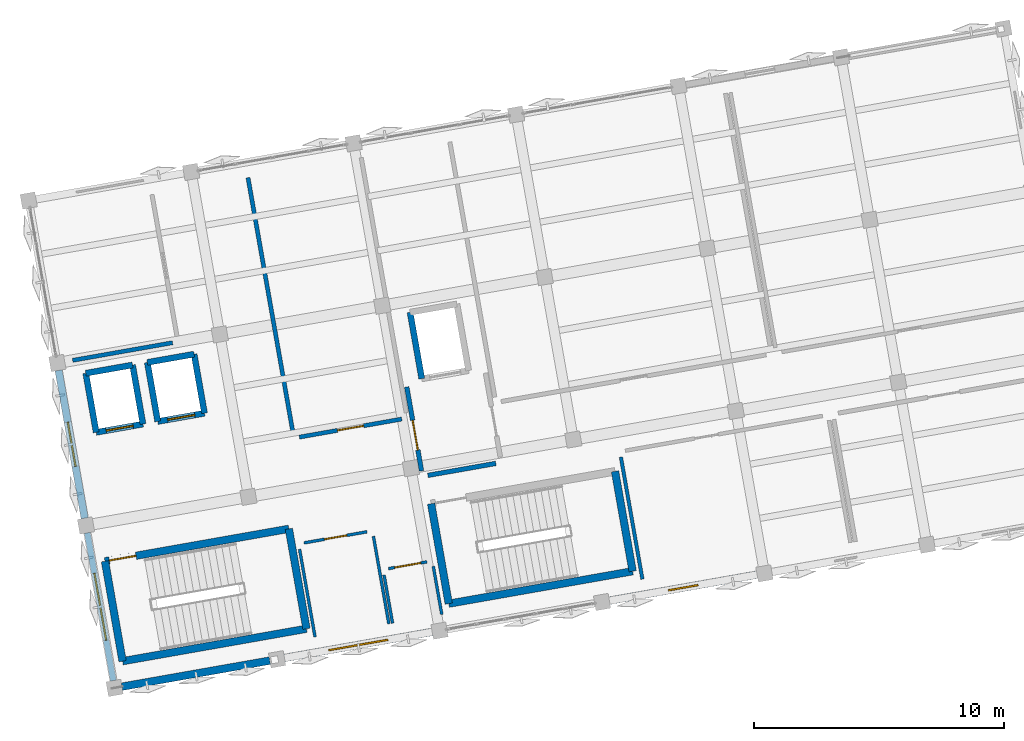
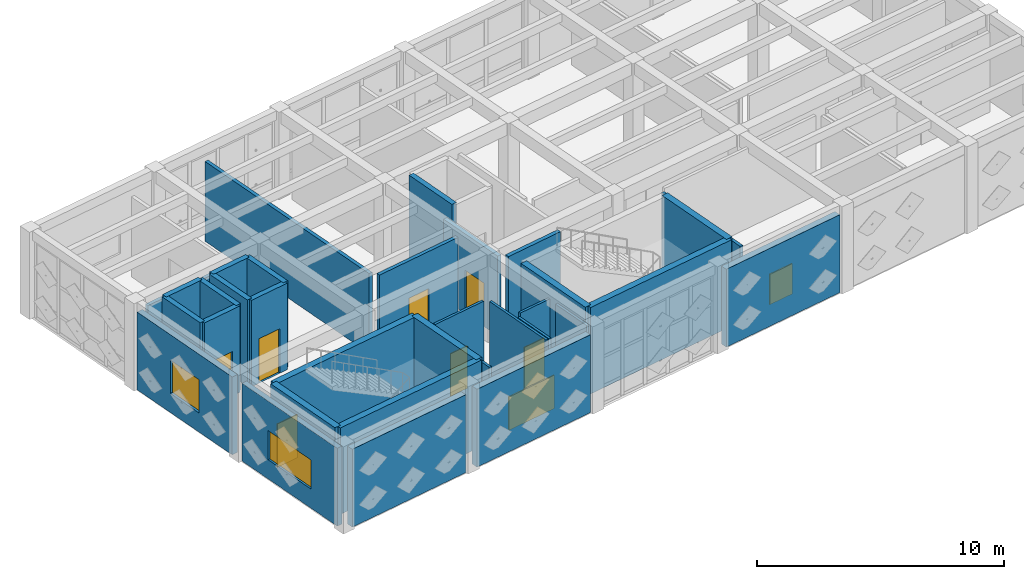
# One storey, part 27 of 36: 33 walls, 7 doors, 4 windows, 11 openings.
"""IFC4 building model written with IfcOpenShell, lengths in metres."""

from ifc_helpers import new_model, si_unit, direction, frame, frame_2d, origin, place, context, subcontext, project, spatial, rectangle, extrude, material, layer, layer_set, type_object, element, fill, save


model = new_model("IFC4")

# Units and contexts
model_context = context("Model", 3, precision=1e-05, world=origin(), true_north=direction((0.0, 1.0)))
body_context = subcontext(model_context, "Body", "Model", "MODEL_VIEW")
ifc_project = project(units=[si_unit("LENGTHUNIT", "METRE"), si_unit("AREAUNIT", "SQUARE_METRE"), si_unit("VOLUMEUNIT", "CUBIC_METRE"), si_unit("PLANEANGLEUNIT", "RADIAN"), si_unit("MASSUNIT", "GRAM", prefix="KILO")], contexts=[model_context])

# Site, building, storey
site_placement = place(None, origin())
site = spatial("IfcSite", under=ifc_project, at=site_placement, CompositionType="ELEMENT")
building_placement = place(site_placement, origin())
building = spatial("IfcBuilding", under=site, at=building_placement, Name="Kharisveld Research Institute", CompositionType="ELEMENT")
storey_placement = place(building_placement, frame((0.0, 0.0, 27.60009765625)))
storey = spatial("IfcBuildingStorey", under=building, at=storey_placement, Name="L06", CompositionType="ELEMENT", Elevation=27.60009765625)

# Walls
ifc_material_1 = material(Name="Concrete C40/50", Category="concrete")
ifc_layer_1 = layer(ifc_material_1, 0.239990234375)
ifc_layer_set_1 = layer_set([ifc_layer_1], Name="WL_CORE_240")
wall_type_1 = type_object("IfcWallType", Name="WL_CORE_240", PredefinedType="SHEAR", material=ifc_layer_set_1)
wall_1_placement = place(storey_placement, frame((17.48828125, 47.3818359375, 0.0), z_axis=(0.0, 0.0, 1.0), x_axis=(-0.173615102578, 0.98481358447, 0.0)))
element("IfcWall", 1, at=wall_1_placement, inside=storey, type_object=wall_type_1, Name="WL:LFT:FFL-01:L06:W", PredefinedType="SHEAR", context=body_context, shape_type="SweptSolid", body=[
    extrude(rectangle(XDim=2.699951171875, YDim=0.239990234375, at=frame_2d((1.35009765625, 0.0))), origin(), (0.0, 0.0, 1.0), 4.27978515625),
])
wall_2_placement = place(storey_placement, frame((4.462890625, 45.2373046875, 0.0), z_axis=(0.0, 0.0, 1.0), x_axis=(-0.173646056486, 0.984808127031, 0.0)))
element("IfcWall", 2, at=wall_2_placement, inside=storey, type_object=wall_type_1, Name="WL:LFT:PL-01:L06:W", PredefinedType="SHEAR", context=body_context, shape_type="SweptSolid", body=[
    extrude(rectangle(XDim=2.39990234375, YDim=0.239990234375, at=frame_2d((1.199951171875, 0.0))), origin(), (0.0, 0.0, 1.0), 4.27978515625),
])
wall_3_placement = place(storey_placement, frame((4.046142578125, 47.600830078125, 0.0), z_axis=(0.0, 0.0, 1.0), x_axis=(0.984793905749, 0.173726691098, 0.0)))
element("IfcWall", 3, at=wall_3_placement, inside=storey, type_object=wall_type_1, Name="WL:LFT:PL-01:L06:N", PredefinedType="SHEAR", context=body_context, shape_type="SweptSolid", body=[
    extrude(rectangle(XDim=1.89990234375, YDim=0.239990234375, at=frame_2d((0.949951171875, 0.0))), origin(), (0.0, 0.0, 1.0), 4.27978515625),
])
wall_4_placement = place(storey_placement, frame((5.917236328125, 47.930908203125, 0.0), z_axis=(0.0, 0.0, 1.0), x_axis=(0.173646056486, -0.984808127031, 0.0)))
element("IfcWall", 4, at=wall_4_placement, inside=storey, type_object=wall_type_1, Name="WL:LFT:PL-01:L06:E", PredefinedType="SHEAR", context=body_context, shape_type="SweptSolid", body=[
    extrude(rectangle(XDim=2.39990234375, YDim=0.239990234375, at=frame_2d((1.199951171875, 0.0))), origin(), (0.0, 0.0, 1.0), 4.27978515625),
])

# Wall, opening, door
wall_5_placement = place(storey_placement, frame((6.333984375, 45.5673828125, 0.0), z_axis=(0.0, 0.0, 1.0), x_axis=(-0.984793905749, -0.173726691098, 0.0)))
wall_5 = element("IfcWall", 5, at=wall_5_placement, inside=storey, type_object=wall_type_1, Name="WL:LFT:PL-01:L06:S", PredefinedType="SHEAR", context=body_context, shape_type="SweptSolid", body=[
    extrude(rectangle(XDim=1.89990234375, YDim=0.239990234375, at=frame_2d((0.949951171875, 0.0))), origin(), (0.0, 0.0, 1.0), 4.27978515625),
])
opening_1_placement = place(wall_5_placement, frame((0.39990234375, 0.0, 0.0)))
opening_1 = element("IfcOpeningElement", 6, at=opening_1_placement, cuts=wall_5, Name="Opening LD-01", PredefinedType="OPENING", context=body_context, shape_type="SweptSolid", body=[
    extrude(rectangle(XDim=1.10009765625, YDim=2.199951171875, at=frame_2d((0.550048828125, 1.10009765625))), frame((0.0, 0.1201171875, 0.0), z_axis=(0.0, -1.0, 0.0), x_axis=(1.0, 0.0, 0.0)), (0.0, 0.0, 1.0), 0.239990234375),
])
ifc_material_2 = material(Name="Flush Painted Hardwood and Anodised Aluminium", Category="wood")
door_type_1 = type_object("IfcDoorType", Name="DR_LFT_110", OperationType="SLIDING_TO_LEFT", PredefinedType="DOOR", material=ifc_material_2)
door_1_placement = place(opening_1_placement, origin())
door_1 = element("IfcDoor", 7, at=door_1_placement, inside=storey, type_object=door_type_1, Name="PL-01 Lift Landing Door L06", OperationType="SLIDING_TO_LEFT", OverallHeight=2.199951171875, OverallWidth=1.10009765625, PredefinedType="DOOR", context=body_context, shape_type="SweptSolid", body=[
    extrude(rectangle(XDim=1.10009765625, YDim=2.199951171875, at=frame_2d((0.550048828125, 1.10009765625))), frame((0.0, 0.02490234375, 0.0), z_axis=(0.0, -1.0, 0.0), x_axis=(1.0, 0.0, 0.0)), (0.0, 0.0, 1.0), 0.050048828125),
])
fill(opening_1, door_1)

# Walls
wall_6_placement = place(storey_placement, frame((6.9248046875, 45.67138671875, 0.0), z_axis=(0.0, 0.0, 1.0), x_axis=(-0.173646056486, 0.984808127031, 0.0)))
element("IfcWall", 8, at=wall_6_placement, inside=storey, type_object=wall_type_1, Name="WL:LFT:PL-02:L06:W", PredefinedType="SHEAR", context=body_context, shape_type="SweptSolid", body=[
    extrude(rectangle(XDim=2.39990234375, YDim=0.239990234375, at=frame_2d((1.199951171875, 0.0))), origin(), (0.0, 0.0, 1.0), 4.27978515625),
])
wall_7_placement = place(storey_placement, frame((6.508056640625, 48.034912109375, 0.0), z_axis=(0.0, 0.0, 1.0), x_axis=(0.984793905749, 0.173726691098, 0.0)))
element("IfcWall", 9, at=wall_7_placement, inside=storey, type_object=wall_type_1, Name="WL:LFT:PL-02:L06:N", PredefinedType="SHEAR", context=body_context, shape_type="SweptSolid", body=[
    extrude(rectangle(XDim=1.89990234375, YDim=0.239990234375, at=frame_2d((0.949951171875, 0.0))), origin(), (0.0, 0.0, 1.0), 4.27978515625),
])
wall_8_placement = place(storey_placement, frame((8.379150390625, 48.364990234375, 0.0), z_axis=(0.0, 0.0, 1.0), x_axis=(0.173646056486, -0.984808127031, 0.0)))
element("IfcWall", 10, at=wall_8_placement, inside=storey, type_object=wall_type_1, Name="WL:LFT:PL-02:L06:E", PredefinedType="SHEAR", context=body_context, shape_type="SweptSolid", body=[
    extrude(rectangle(XDim=2.39990234375, YDim=0.239990234375, at=frame_2d((1.199951171875, 0.0))), origin(), (0.0, 0.0, 1.0), 4.27978515625),
])

# Wall, opening, door
wall_9_placement = place(storey_placement, frame((8.7958984375, 46.00146484375, 0.0), z_axis=(0.0, 0.0, 1.0), x_axis=(-0.984793905749, -0.173726691098, 0.0)))
wall_9 = element("IfcWall", 11, at=wall_9_placement, inside=storey, type_object=wall_type_1, Name="WL:LFT:PL-02:L06:S", PredefinedType="SHEAR", context=body_context, shape_type="SweptSolid", body=[
    extrude(rectangle(XDim=1.89990234375, YDim=0.239990234375, at=frame_2d((0.949951171875, 0.0))), origin(), (0.0, 0.0, 1.0), 4.27978515625),
])
opening_2_placement = place(wall_9_placement, frame((0.39990234375, 0.0, 0.0)))
opening_2 = element("IfcOpeningElement", 12, at=opening_2_placement, cuts=wall_9, Name="Opening LD-01", PredefinedType="OPENING", context=body_context, shape_type="SweptSolid", body=[
    extrude(rectangle(XDim=1.10009765625, YDim=2.199951171875, at=frame_2d((0.550048828125, 1.10009765625))), frame((0.0, 0.1201171875, 0.0), z_axis=(0.0, -1.0, 0.0), x_axis=(1.0, 0.0, 0.0)), (0.0, 0.0, 1.0), 0.239990234375),
])
door_2_placement = place(opening_2_placement, origin())
door_2 = element("IfcDoor", 13, at=door_2_placement, inside=storey, type_object=door_type_1, Name="PL-02 Lift Landing Door L06", OperationType="SLIDING_TO_LEFT", OverallHeight=2.199951171875, OverallWidth=1.10009765625, PredefinedType="DOOR", context=body_context, shape_type="SweptSolid", body=[
    extrude(rectangle(XDim=1.10009765625, YDim=2.199951171875, at=frame_2d((0.550048828125, 1.10009765625))), frame((0.0, 0.02490234375, 0.0), z_axis=(0.0, -1.0, 0.0), x_axis=(1.0, 0.0, 0.0)), (0.0, 0.0, 1.0), 0.050048828125),
])
fill(opening_2, door_2)

# Wall
ifc_material_3 = material(Name="Concrete C40/50", Category="concrete")
ifc_layer_2 = layer(ifc_material_3, 0.300048828125)
ifc_layer_set_2 = layer_set([ifc_layer_2], Name="WL_CORE_300")
wall_type_2 = type_object("IfcWallType", Name="WL_CORE_300", PredefinedType="SHEAR", material=ifc_layer_set_2)
wall_10_placement = place(storey_placement, frame((5.518798828125, 36.08154296875, 0.0), z_axis=(0.0, 0.0, 1.0), x_axis=(-0.173665267602, 0.984804739443, 0.0)))
element("IfcWall", 14, at=wall_10_placement, inside=storey, type_object=wall_type_2, Name="WL:STR:ST1:L06:W", PredefinedType="SHEAR", context=body_context, shape_type="SweptSolid", body=[
    extrude(rectangle(XDim=4.06005859375, YDim=0.300048828125, at=frame_2d((2.030029296875, 0.0))), origin(), (0.0, 0.0, 1.0), 4.27978515625),
])

# Wall, opening, door
wall_11_placement = place(storey_placement, frame((4.813720703125, 40.079833984375, 0.0), z_axis=(0.0, 0.0, 1.0), x_axis=(0.984802636214, 0.173677193974, 0.0)))
wall_11 = element("IfcWall", 15, at=wall_11_placement, inside=storey, type_object=wall_type_2, Name="WL:STR:ST1:L06:N", PredefinedType="SHEAR", context=body_context, shape_type="SweptSolid", body=[
    extrude(rectangle(XDim=7.469970703125, YDim=0.300048828125, at=frame_2d((3.73486328125, 0.0))), origin(), (0.0, 0.0, 1.0), 4.27978515625),
])
opening_3_placement = place(wall_11_placement, frame((0.179931640625, 0.0, 0.0)))
opening_3 = element("IfcOpeningElement", 16, at=opening_3_placement, cuts=wall_11, Name="Opening DS-008", PredefinedType="OPENING", context=body_context, shape_type="SweptSolid", body=[
    extrude(rectangle(XDim=1.080078125, YDim=2.14990234375, at=frame_2d((0.5400390625, 1.074951171875))), frame((0.0, 0.14990234375, 0.0), z_axis=(0.0, -1.0, 0.0), x_axis=(1.0, 0.0, 0.0)), (0.0, 0.0, 1.0), 0.300048828125),
])
ifc_material_4 = material(Name="Flush Painted Hardwood and Anodised Aluminium", Category="wood")
door_type_2 = type_object("IfcDoorType", Name="DR_FD60_108", OperationType="NOTDEFINED", PredefinedType="DOOR", material=ifc_material_4)
door_3_placement = place(opening_3_placement, origin())
door_3 = element("IfcDoor", 17, at=door_3_placement, inside=storey, type_object=door_type_2, Name="DR:STR:ST1:L06", OperationType="SINGLE_SWING_LEFT", OverallHeight=2.14990234375, OverallWidth=1.080078125, PredefinedType="DOOR", context=body_context, shape_type="SweptSolid", body=[
    extrude(rectangle(XDim=1.080078125, YDim=2.14990234375, at=frame_2d((0.5400390625, 1.074951171875))), frame((0.0, 0.02490234375, 0.0), z_axis=(0.0, -1.0, 0.0), x_axis=(1.0, 0.0, 0.0)), (0.0, 0.0, 1.0), 0.050048828125),
])
fill(opening_3, door_3)

# Walls
wall_12_placement = place(storey_placement, frame((12.170166015625, 41.377197265625, 0.0), z_axis=(0.0, 0.0, 1.0), x_axis=(0.173654983803, -0.984806552883, 0.0)))
element("IfcWall", 18, at=wall_12_placement, inside=storey, type_object=wall_type_2, Name="WL:STR:ST1:L06:E", PredefinedType="SHEAR", context=body_context, shape_type="SweptSolid", body=[
    extrude(rectangle(XDim=4.060302734375, YDim=0.300048828125, at=frame_2d((2.0302734375, 0.0))), origin(), (0.0, 0.0, 1.0), 4.27978515625),
])
wall_13_placement = place(storey_placement, frame((12.875244140625, 37.378662109375, 0.0), z_axis=(0.0, 0.0, 1.0), x_axis=(-0.984808225754, -0.173645496596, 0.0)))
element("IfcWall", 19, at=wall_13_placement, inside=storey, type_object=wall_type_2, Name="WL:STR:ST1:L06:S", PredefinedType="SHEAR", context=body_context, shape_type="SweptSolid", body=[
    extrude(rectangle(XDim=7.469970703125, YDim=0.300048828125, at=frame_2d((3.73486328125, 0.0))), origin(), (0.0, 0.0, 1.0), 4.27978515625),
])
for number, where, z_axis, x_axis, name in (
    (20, (18.5673828125, 38.382568359375, 0.0), (0.0, 0.0, 1.0), (-0.173606946886, 0.984815022221, 0.0), "WL:STR:ST2:L06:W"),
    (21, (25.218994140625, 43.677978515625, 0.0), (0.0, 0.0, 1.0), (0.173665267602, -0.984804739443, 0.0), "WL:STR:ST2:L06:E"),
):
    element("IfcWall", number, at=place(storey_placement, frame(where, z_axis=z_axis, x_axis=x_axis)), inside=storey, type_object=wall_type_2, Name=name, PredefinedType="SHEAR", context=body_context, shape_type="SweptSolid", body=[
        extrude(rectangle(XDim=4.06005859375, YDim=0.300048828125, at=frame_2d((2.030029296875, 0.0))), origin(), (0.0, 0.0, 1.0), 4.27978515625),
    ])
wall_14_placement = place(storey_placement, frame((25.924072265625, 39.6796875, 0.0), z_axis=(0.0, 0.0, 1.0), x_axis=(-0.984809211193, -0.173639907711, 0.0)))
element("IfcWall", 22, at=wall_14_placement, inside=storey, type_object=wall_type_2, Name="WL:STR:ST2:L06:S", PredefinedType="SHEAR", context=body_context, shape_type="SweptSolid", body=[
    extrude(rectangle(XDim=7.47021484375, YDim=0.300048828125, at=frame_2d((3.735107421875, 0.0))), origin(), (0.0, 0.0, 1.0), 4.27978515625),
])

# Wall, opening, window
ifc_material_5 = material(Name="Lightweight Acoustic Spandrel", Category="mineral")
ifc_layer_3 = layer(ifc_material_5, 0.2451171875)
ifc_layer_set_3 = layer_set([ifc_layer_3], Name="WL_EXT_245")
wall_type_3 = type_object("IfcWallType", Name="WL_EXT_245", PredefinedType="STANDARD", material=ifc_layer_set_3)
wall_15_placement = place(storey_placement, frame((5.148681640625, 35.300537109375, 0.0), z_axis=(0.0, 0.0, 1.0), x_axis=(-0.173620796507, 0.984812580657, 0.0)))
wall_15 = element("IfcWall", 23, at=wall_15_placement, inside=storey, type_object=wall_type_3, Name="WL:V1:L06:W0", PredefinedType="STANDARD", context=body_context, shape_type="SweptSolid", body=[
    extrude(rectangle(XDim=6.010009765625, YDim=0.2451171875, at=frame_2d((3.0048828125, 0.0))), origin(), (0.0, 0.0, 1.0), 3.85498046875),
])
opening_4_placement = place(wall_15_placement, frame((1.64501953125, 0.0, 0.949951171875)))
opening_4 = element("IfcOpeningElement", 24, at=opening_4_placement, cuts=wall_15, Name="Opening WN-38", PredefinedType="OPENING", context=body_context, shape_type="SweptSolid", body=[
    extrude(rectangle(XDim=2.719970703125, YDim=1.43994140625, at=frame_2d((1.35986328125, 0.719970703125))), frame((0.0, 0.12255859375, 0.0), z_axis=(0.0, -1.0, 0.0), x_axis=(1.0, 0.0, 0.0)), (0.0, 0.0, 1.0), 0.2451171875),
])
ifc_material_6 = material(Name="Low-E Double Glazing", Category="glass")
window_type_1 = type_object("IfcWindowType", Name="WN_38", PartitioningType="DOUBLE_PANEL_VERTICAL", PredefinedType="WINDOW", material=ifc_material_6)
window_1_placement = place(opening_4_placement, origin())
window_1 = element("IfcWindow", 25, at=window_1_placement, inside=storey, type_object=window_type_1, Name="WN:V1:L06:W0", OverallHeight=1.43994140625, OverallWidth=2.719970703125, PartitioningType="SINGLE_PANEL", PredefinedType="WINDOW", context=body_context, shape_type="SweptSolid", body=[
    extrude(rectangle(XDim=2.719970703125, YDim=1.43994140625, at=frame_2d((1.35986328125, 0.719970703125))), frame((0.0, 0.030029296875, 0.0), z_axis=(0.0, -1.0, 0.0), x_axis=(1.0, 0.0, 0.0)), (0.0, 0.0, 1.0), 0.06005859375),
])
fill(opening_4, window_1)

ifc_material_7 = material(Name="Precast Concrete C40/50 Thermal Wall", Category="concrete")
ifc_layer_4 = layer(ifc_material_7, 0.2900390625)
ifc_layer_set_4 = layer_set([ifc_layer_4], Name="WL_EXT_290")
wall_type_4 = type_object("IfcWallType", Name="WL_EXT_290", PredefinedType="STANDARD", material=ifc_layer_set_4)
wall_16_placement = place(storey_placement, frame((4.002685546875, 41.80029296875, 0.0), z_axis=(0.0, 0.0, 1.0), x_axis=(-0.173660194111, 0.984805634113, 0.0)))
wall_16 = element("IfcWall", 26, at=wall_16_placement, inside=storey, type_object=wall_type_4, Name="WL:V1:L06:W1", PredefinedType="STANDARD", context=body_context, shape_type="SweptSolid", body=[
    extrude(rectangle(XDim=6.010009765625, YDim=0.2900390625, at=frame_2d((3.0048828125, 0.0))), origin(), (0.0, 0.0, 1.0), 3.85498046875),
])
opening_5_placement = place(wall_16_placement, frame((2.10498046875, 0.0, 0.949951171875)))
opening_5 = element("IfcOpeningElement", 27, at=opening_5_placement, cuts=wall_16, Name="Opening WN-01", PredefinedType="OPENING", context=body_context, shape_type="SweptSolid", body=[
    extrude(rectangle(XDim=1.800048828125, YDim=1.64990234375, at=frame_2d((0.89990234375, 0.824951171875))), frame((0.0, 0.14501953125, 0.0), z_axis=(0.0, -1.0, 0.0), x_axis=(1.0, 0.0, 0.0)), (0.0, 0.0, 1.0), 0.2900390625),
])
ifc_material_8 = material(Name="Low-E Double Glazing", Category="glass")
window_type_2 = type_object("IfcWindowType", Name="WN_01", PartitioningType="DOUBLE_PANEL_VERTICAL", PredefinedType="WINDOW", material=ifc_material_8)
window_2_placement = place(opening_5_placement, origin())
window_2 = element("IfcWindow", 28, at=window_2_placement, inside=storey, type_object=window_type_2, Name="WN:V1:L06:W1", OverallHeight=1.64990234375, OverallWidth=1.800048828125, PartitioningType="SINGLE_PANEL", PredefinedType="WINDOW", context=body_context, shape_type="SweptSolid", body=[
    extrude(rectangle(XDim=1.800048828125, YDim=1.64990234375, at=frame_2d((0.89990234375, 0.824951171875))), frame((0.0, 0.030029296875, 0.0), z_axis=(0.0, -1.0, 0.0), x_axis=(1.0, 0.0, 0.0)), (0.0, 0.0, 1.0), 0.06005859375),
])
fill(opening_5, window_2)

ifc_material_9 = material(Name="Precast Concrete C40/50 Ochre Panel", Category="concrete")
ifc_layer_5 = layer(ifc_material_9, 0.304931640625)
ifc_layer_set_5 = layer_set([ifc_layer_5], Name="WL_EXT_305")
wall_type_5 = type_object("IfcWallType", Name="WL_EXT_305", PredefinedType="STANDARD", material=ifc_layer_set_5)
wall_17_placement = place(storey_placement, frame((30.908447265625, 39.54296875, 0.0), z_axis=(0.0, 0.0, 1.0), x_axis=(-0.984812580657, -0.173620796507, 0.0)))
wall_17 = element("IfcWall", 29, at=wall_17_placement, inside=storey, type_object=wall_type_5, Name="WL:V1:L06:S4", PredefinedType="STANDARD", context=body_context, shape_type="SweptSolid", body=[
    extrude(rectangle(XDim=6.010009765625, YDim=0.304931640625, at=frame_2d((3.0048828125, 0.0))), origin(), (0.0, 0.0, 1.0), 3.85498046875),
])
opening_6_placement = place(wall_17_placement, frame((2.405029296875, 0.0, 0.949951171875)))
opening_6 = element("IfcOpeningElement", 30, at=opening_6_placement, cuts=wall_17, Name="Opening WN-04", PredefinedType="OPENING", context=body_context, shape_type="SweptSolid", body=[
    extrude(rectangle(XDim=1.199951171875, YDim=1.5, at=frame_2d((0.60009765625, 0.75))), frame((0.0, 0.15234375, 0.0), z_axis=(0.0, -1.0, 0.0), x_axis=(1.0, 0.0, 0.0)), (0.0, 0.0, 1.0), 0.304931640625),
])
ifc_material_10 = material(Name="Low-E Double Glazing", Category="glass")
window_type_3 = type_object("IfcWindowType", Name="WN_04", PartitioningType="SINGLE_PANEL", PredefinedType="WINDOW", material=ifc_material_10)
window_3_placement = place(opening_6_placement, origin())
window_3 = element("IfcWindow", 31, at=window_3_placement, inside=storey, type_object=window_type_3, Name="WN:V1:L06:S4", OverallHeight=1.5, OverallWidth=1.199951171875, PartitioningType="SINGLE_PANEL", PredefinedType="WINDOW", context=body_context, shape_type="SweptSolid", body=[
    extrude(rectangle(XDim=1.199951171875, YDim=1.5, at=frame_2d((0.60009765625, 0.75))), frame((0.0, 0.030029296875, 0.0), z_axis=(0.0, -1.0, 0.0), x_axis=(1.0, 0.0, 0.0)), (0.0, 0.0, 1.0), 0.06005859375),
])
fill(opening_6, window_3)

wall_18_placement = place(storey_placement, frame((17.908935546875, 37.2509765625, 0.0), z_axis=(0.0, 0.0, 1.0), x_axis=(-0.984805634113, -0.173660194111, 0.0)))
wall_18 = element("IfcWall", 32, at=wall_18_placement, inside=storey, type_object=wall_type_5, Name="WL:V1:L06:S2", PredefinedType="STANDARD", context=body_context, shape_type="SweptSolid", body=[
    extrude(rectangle(XDim=6.010009765625, YDim=0.304931640625, at=frame_2d((3.0048828125, 0.0))), origin(), (0.0, 0.0, 1.0), 3.85498046875),
])
opening_7_placement = place(wall_18_placement, frame((1.804931640625, 0.0, 0.949951171875)))
opening_7 = element("IfcOpeningElement", 33, at=opening_7_placement, cuts=wall_18, Name="Opening WN-02", PredefinedType="OPENING", context=body_context, shape_type="SweptSolid", body=[
    extrude(rectangle(XDim=2.39990234375, YDim=1.64990234375, at=frame_2d((1.199951171875, 0.824951171875))), frame((0.0, 0.15234375, 0.0), z_axis=(0.0, -1.0, 0.0), x_axis=(1.0, 0.0, 0.0)), (0.0, 0.0, 1.0), 0.304931640625),
])
ifc_material_11 = material(Name="Low-E Double Glazing", Category="glass")
window_type_4 = type_object("IfcWindowType", Name="WN_02", PartitioningType="TRIPLE_PANEL_VERTICAL", PredefinedType="WINDOW", material=ifc_material_11)
window_4_placement = place(opening_7_placement, origin())
window_4 = element("IfcWindow", 34, at=window_4_placement, inside=storey, type_object=window_type_4, Name="WN:V1:L06:S2", OverallHeight=1.64990234375, OverallWidth=2.39990234375, PartitioningType="SINGLE_PANEL", PredefinedType="WINDOW", context=body_context, shape_type="SweptSolid", body=[
    extrude(rectangle(XDim=2.39990234375, YDim=1.64990234375, at=frame_2d((1.199951171875, 0.824951171875))), frame((0.0, 0.030029296875, 0.0), z_axis=(0.0, -1.0, 0.0), x_axis=(1.0, 0.0, 0.0)), (0.0, 0.0, 1.0), 0.06005859375),
])
fill(opening_7, window_4)

# Walls
wall_19_placement = place(storey_placement, frame((11.4091796875, 36.104736328125, 0.0), z_axis=(0.0, 0.0, 1.0), x_axis=(-0.984812580657, -0.173620796507, 0.0)))
element("IfcWall", 35, at=wall_19_placement, inside=storey, type_object=wall_type_5, Name="WL:V1:L06:S1", PredefinedType="STANDARD", context=body_context, shape_type="SweptSolid", body=[
    extrude(rectangle(XDim=6.010009765625, YDim=0.304931640625, at=frame_2d((3.0048828125, 0.0))), origin(), (0.0, 0.0, 1.0), 3.85498046875),
])
ifc_material_12 = material(Name="Acoustic Drywall Partition", Category="mineral")
ifc_layer_6 = layer(ifc_material_12, 0.1650390625)
ifc_layer_set_6 = layer_set([ifc_layer_6], Name="WL_LAB_165")
wall_type_6 = type_object("IfcWallType", Name="WL_LAB_165", PredefinedType="PARTITIONING", material=ifc_layer_set_6)
wall_20_placement = place(storey_placement, frame((3.518310546875, 48.1171875, 0.0), z_axis=(0.0, 0.0, 1.0), x_axis=(0.984816834462, 0.173596666326, 0.0)))
element("IfcWall", 36, at=wall_20_placement, inside=storey, type_object=wall_type_6, Name="WL:RM:V1:L06:NW:S", PredefinedType="PARTITIONING", context=body_context, shape_type="SweptSolid", body=[
    extrude(rectangle(XDim=4.060302734375, YDim=0.1650390625, at=frame_2d((2.0302734375, 0.0))), origin(), (0.0, 0.0, 1.0), 3.704833984375),
])

# Wall, opening, door
wall_21_placement = place(storey_placement, frame((12.589599609375, 45.045654296875, 0.0), z_axis=(0.0, 0.0, 1.0), x_axis=(0.984805411783, 0.173661454915, 0.0)))
wall_21 = element("IfcWall", 37, at=wall_21_placement, inside=storey, type_object=wall_type_6, Name="WL:RM:V1:L06:N1:S", PredefinedType="PARTITIONING", context=body_context, shape_type="SweptSolid", body=[
    extrude(rectangle(XDim=4.159912109375, YDim=0.1650390625, at=frame_2d((2.080078125, 0.0))), origin(), (0.0, 0.0, 1.0), 3.90478515625),
])
opening_8_placement = place(wall_21_placement, frame((1.550048828125, 0.0, 0.0)))
opening_8 = element("IfcOpeningElement", 38, at=opening_8_placement, cuts=wall_21, Name="Opening DI-126", PredefinedType="OPENING", context=body_context, shape_type="SweptSolid", body=[
    extrude(rectangle(XDim=1.06005859375, YDim=2.06005859375, at=frame_2d((0.530029296875, 1.030029296875))), frame((0.0, 0.08251953125, 0.0), z_axis=(0.0, -1.0, 0.0), x_axis=(1.0, 0.0, 0.0)), (0.0, 0.0, 1.0), 0.1650390625),
])
ifc_material_13 = material(Name="Flush Painted Hardwood and Anodised Aluminium", Category="wood")
door_type_3 = type_object("IfcDoorType", Name="DR_VAR_06", OperationType="NOTDEFINED", PredefinedType="DOOR", material=ifc_material_13)
door_4_placement = place(opening_8_placement, origin())
door_4 = element("IfcDoor", 39, at=door_4_placement, inside=storey, type_object=door_type_3, Name="DR:RM:V1:L06:N1:S", OperationType="SINGLE_SWING_RIGHT", OverallHeight=2.06005859375, OverallWidth=1.06005859375, PredefinedType="DOOR", context=body_context, shape_type="SweptSolid", body=[
    extrude(rectangle(XDim=1.06005859375, YDim=2.06005859375, at=frame_2d((0.530029296875, 1.030029296875))), frame((0.0, 0.02490234375, 0.0), z_axis=(0.0, -1.0, 0.0), x_axis=(1.0, 0.0, 0.0)), (0.0, 0.0, 1.0), 0.050048828125),
])
fill(opening_8, door_4)

# Walls
wall_22_placement = place(storey_placement, frame((10.53564453125, 55.4267578125, 0.0), z_axis=(0.0, 0.0, 1.0), x_axis=(0.173654930775, -0.984806562233, 0.0)))
element("IfcWall", 40, at=wall_22_placement, inside=storey, type_object=wall_type_6, Name="WL:RM:V1:L06:N1:W", PredefinedType="PARTITIONING", context=body_context, shape_type="SweptSolid", body=[
    extrude(rectangle(XDim=10.360107421875, YDim=0.1650390625, at=frame_2d((5.18017578125, 0.0))), origin(), (0.0, 0.0, 1.0), 3.949951171875),
])
ifc_material_14 = material(Name="Masonry Blockwork", Category="masonry")
ifc_layer_7 = layer(ifc_material_14, 0.18505859375)
ifc_layer_set_7 = layer_set([ifc_layer_7], Name="WL_LOB_185")
wall_type_7 = type_object("IfcWallType", Name="WL_LOB_185", PredefinedType="SOLIDWALL", material=ifc_layer_set_7)
wall_23_placement = place(storey_placement, frame((17.7333984375, 43.515625, 0.0), z_axis=(0.0, 0.0, 1.0), x_axis=(0.984808483292, 0.173644035992, 0.0)))
element("IfcWall", 41, at=wall_23_placement, inside=storey, type_object=wall_type_7, Name="WL:RM:V1:L06:FFL:S", PredefinedType="SOLIDWALL", context=body_context, shape_type="SweptSolid", body=[
    extrude(rectangle(XDim=2.760009765625, YDim=0.18505859375, at=frame_2d((1.3798828125, 0.0))), origin(), (0.0, 0.0, 1.0), 3.949951171875),
])

# Wall, opening, door
wall_24_placement = place(storey_placement, frame((16.886474609375, 47.05224609375, 0.0), z_axis=(0.0, 0.0, 1.0), x_axis=(0.173621956536, -0.984812376145, 0.0)))
wall_24 = element("IfcWall", 42, at=wall_24_placement, inside=storey, type_object=wall_type_7, Name="WL:RM:V1:L06:FFL:W", PredefinedType="SOLIDWALL", context=body_context, shape_type="SweptSolid", body=[
    extrude(rectangle(XDim=3.409912109375, YDim=0.18505859375, at=frame_2d((1.705078125, 0.0))), origin(), (0.0, 0.0, 1.0), 3.949951171875),
])
opening_9_placement = place(wall_24_placement, frame((1.360107421875, 0.0, 0.0)))
opening_9 = element("IfcOpeningElement", 43, at=opening_9_placement, cuts=wall_24, Name="Opening DI-122", PredefinedType="OPENING", context=body_context, shape_type="SweptSolid", body=[
    extrude(rectangle(XDim=1.199951171875, YDim=2.14990234375, at=frame_2d((0.60009765625, 1.074951171875))), frame((0.0, 0.092529296875, 0.0), z_axis=(0.0, -1.0, 0.0), x_axis=(1.0, 0.0, 0.0)), (0.0, 0.0, 1.0), 0.18505859375),
])
ifc_material_15 = material(Name="Flush Painted Hardwood and Anodised Aluminium", Category="wood")
door_type_4 = type_object("IfcDoorType", Name="DR_FD120_120", OperationType="NOTDEFINED", PredefinedType="DOOR", material=ifc_material_15)
door_5_placement = place(opening_9_placement, origin())
door_5 = element("IfcDoor", 44, at=door_5_placement, inside=storey, type_object=door_type_4, Name="DR:RM:V1:L06:FFL:W", OperationType="SINGLE_SWING_RIGHT", OverallHeight=2.14990234375, OverallWidth=1.199951171875, PredefinedType="DOOR", context=body_context, shape_type="SweptSolid", body=[
    extrude(rectangle(XDim=1.199951171875, YDim=2.14990234375, at=frame_2d((0.60009765625, 1.074951171875))), frame((0.0, 0.02490234375, 0.0), z_axis=(0.0, -1.0, 0.0), x_axis=(1.0, 0.0, 0.0)), (0.0, 0.0, 1.0), 0.050048828125),
])
fill(opening_9, door_5)

# Walls
ifc_material_16 = material(Name="Insulated Stud Partition", Category="mineral")
ifc_layer_8 = layer(ifc_material_16, 0.139892578125)
ifc_layer_set_8 = layer_set([ifc_layer_8], Name="WL_OFF_140")
wall_type_8 = type_object("IfcWallType", Name="WL_OFF_140", PredefinedType="PARTITIONING", material=ifc_layer_set_8)
wall_25_placement = place(storey_placement, frame((25.45361328125, 44.247314453125, 0.0), z_axis=(0.0, 0.0, 1.0), x_axis=(0.173658971256, -0.98480584975, 0.0)))
element("IfcWall", 45, at=wall_25_placement, inside=storey, type_object=wall_type_8, Name="WL:RM:V1:L06:S1:W", PredefinedType="PARTITIONING", context=body_context, shape_type="SweptSolid", body=[
    extrude(rectangle(XDim=4.9599609375, YDim=0.139892578125, at=frame_2d((2.47998046875, 0.0))), origin(), (0.0, 0.0, 1.0), 3.949951171875),
])
ifc_material_17 = material(Name="Moisture-Resistant Partition", Category="mineral")
ifc_layer_9 = layer(ifc_material_17, 0.114990234375)
ifc_layer_set_9 = layer_set([ifc_layer_9], Name="WL_WC_115")
wall_type_9 = type_object("IfcWallType", Name="WL_WC_115", PredefinedType="PARTITIONING", material=ifc_layer_set_9)
wall_26_placement = place(storey_placement, frame((16.17138671875, 37.57421875, 0.0), z_axis=(0.0, 0.0, 1.0), x_axis=(-0.173644490041, 0.984808403233, 0.0)))
element("IfcWall", 46, at=wall_26_placement, inside=storey, type_object=wall_type_9, Name="WL:RM:V1:L06:WCM:E", PredefinedType="PARTITIONING", context=body_context, shape_type="SweptSolid", body=[
    extrude(rectangle(XDim=3.56005859375, YDim=0.114990234375, at=frame_2d((1.780029296875, 0.0))), origin(), (0.0, 0.0, 1.0), 3.949951171875),
])

# Wall, opening, door
wall_27_placement = place(storey_placement, frame((15.29833984375, 41.258544921875, 0.0), z_axis=(0.0, 0.0, 1.0), x_axis=(-0.984803714572, -0.17367107924, 0.0)))
wall_27 = element("IfcWall", 47, at=wall_27_placement, inside=storey, type_object=wall_type_9, Name="WL:RM:V1:L06:WCM:N", PredefinedType="PARTITIONING", context=body_context, shape_type="SweptSolid", body=[
    extrude(rectangle(XDim=2.559814453125, YDim=0.114990234375, at=frame_2d((1.27978515625, 0.0))), origin(), (0.0, 0.0, 1.0), 3.949951171875),
])
opening_10_placement = place(wall_27_placement, frame((0.830078125, 0.0, 0.0)))
opening_10 = element("IfcOpeningElement", 48, at=opening_10_placement, cuts=wall_27, Name="Opening DI-123", PredefinedType="OPENING", context=body_context, shape_type="SweptSolid", body=[
    extrude(rectangle(XDim=0.89990234375, YDim=2.10009765625, at=frame_2d((0.449951171875, 1.050048828125))), frame((0.0, 0.0576171875, 0.0), z_axis=(0.0, -1.0, 0.0), x_axis=(1.0, 0.0, 0.0)), (0.0, 0.0, 1.0), 0.114990234375),
])
ifc_material_18 = material(Name="Flush Painted Hardwood and Anodised Aluminium", Category="wood")
door_type_5 = type_object("IfcDoorType", Name="DR_WC_090", OperationType="NOTDEFINED", PredefinedType="DOOR", material=ifc_material_18)
door_6_placement = place(opening_10_placement, origin())
door_6 = element("IfcDoor", 49, at=door_6_placement, inside=storey, type_object=door_type_5, Name="DR:RM:V1:L06:WCM:N", OperationType="SINGLE_SWING_LEFT", OverallHeight=2.10009765625, OverallWidth=0.89990234375, PredefinedType="DOOR", context=body_context, shape_type="SweptSolid", body=[
    extrude(rectangle(XDim=0.89990234375, YDim=2.10009765625, at=frame_2d((0.449951171875, 1.050048828125))), frame((0.0, 0.02490234375, 0.0), z_axis=(0.0, -1.0, 0.0), x_axis=(1.0, 0.0, 0.0)), (0.0, 0.0, 1.0), 0.050048828125),
])
fill(opening_10, door_6)

# Walls
wall_28_placement = place(storey_placement, frame((12.598876953125, 40.55908203125, 0.0), z_axis=(0.0, 0.0, 1.0), x_axis=(0.173644490041, -0.984808403233, 0.0)))
element("IfcWall", 50, at=wall_28_placement, inside=storey, type_object=wall_type_9, Name="WL:RM:V1:L06:WCM:W", PredefinedType="PARTITIONING", context=body_context, shape_type="SweptSolid", body=[
    extrude(rectangle(XDim=3.56005859375, YDim=0.114990234375, at=frame_2d((1.780029296875, 0.0))), origin(), (0.0, 0.0, 1.0), 3.949951171875),
])
wall_29_placement = place(storey_placement, frame((18.288818359375, 37.947509765625, 0.0), z_axis=(0.0, 0.0, 1.0), x_axis=(-0.173643211285, 0.984808628706, 0.0)))
element("IfcWall", 51, at=wall_29_placement, inside=storey, type_object=wall_type_9, Name="WL:RM:V1:L06:WCA:E", PredefinedType="PARTITIONING", context=body_context, shape_type="SweptSolid", body=[
    extrude(rectangle(XDim=1.9599609375, YDim=0.114990234375, at=frame_2d((0.97998046875, 0.0))), origin(), (0.0, 0.0, 1.0), 3.704833984375),
])

# Wall, opening, door
wall_30_placement = place(storey_placement, frame((17.693603515625, 40.05615234375, 0.0), z_axis=(0.0, 0.0, 1.0), x_axis=(-0.984797734253, -0.173704987291, 0.0)))
wall_30 = element("IfcWall", 52, at=wall_30_placement, inside=storey, type_object=wall_type_9, Name="WL:RM:V1:L06:WCA:N", PredefinedType="PARTITIONING", context=body_context, shape_type="SweptSolid", body=[
    extrude(rectangle(XDim=1.56005859375, YDim=0.114990234375, at=frame_2d((0.780029296875, 0.0))), origin(), (0.0, 0.0, 1.0), 3.949951171875),
])
opening_11_placement = place(wall_30_placement, frame((0.25, 0.0, 0.0)))
opening_11 = element("IfcOpeningElement", 53, at=opening_11_placement, cuts=wall_30, Name="Opening DI-124", PredefinedType="OPENING", context=body_context, shape_type="SweptSolid", body=[
    extrude(rectangle(XDim=1.06005859375, YDim=2.1201171875, at=frame_2d((0.530029296875, 1.06005859375))), frame((0.0, 0.0576171875, 0.0), z_axis=(0.0, -1.0, 0.0), x_axis=(1.0, 0.0, 0.0)), (0.0, 0.0, 1.0), 0.114990234375),
])
ifc_material_19 = material(Name="Flush Painted Hardwood and Anodised Aluminium", Category="wood")
door_type_6 = type_object("IfcDoorType", Name="DR_WCA_106", OperationType="NOTDEFINED", PredefinedType="DOOR", material=ifc_material_19)
door_7_placement = place(opening_11_placement, origin())
door_7 = element("IfcDoor", 54, at=door_7_placement, inside=storey, type_object=door_type_6, Name="DR:RM:V1:L06:WCA:N", OperationType="SINGLE_SWING_RIGHT", OverallHeight=2.1201171875, OverallWidth=1.06005859375, PredefinedType="DOOR", context=body_context, shape_type="SweptSolid", body=[
    extrude(rectangle(XDim=1.06005859375, YDim=2.1201171875, at=frame_2d((0.530029296875, 1.06005859375))), frame((0.0, 0.02490234375, 0.0), z_axis=(0.0, -1.0, 0.0), x_axis=(1.0, 0.0, 0.0)), (0.0, 0.0, 1.0), 0.050048828125),
])
fill(opening_11, door_7)

# Wall
wall_31_placement = place(storey_placement, frame((15.978759765625, 39.5302734375, 0.0), z_axis=(0.0, 0.0, 1.0), x_axis=(0.173643211285, -0.984808628706, 0.0)))
element("IfcWall", 55, at=wall_31_placement, inside=storey, type_object=wall_type_9, Name="WL:RM:V1:L06:WCA:W", PredefinedType="PARTITIONING", context=body_context, shape_type="SweptSolid", body=[
    extrude(rectangle(XDim=1.9599609375, YDim=0.114990234375, at=frame_2d((0.97998046875, 0.0))), origin(), (0.0, 0.0, 1.0), 3.949951171875),
])

save(model, "model.ifc")
